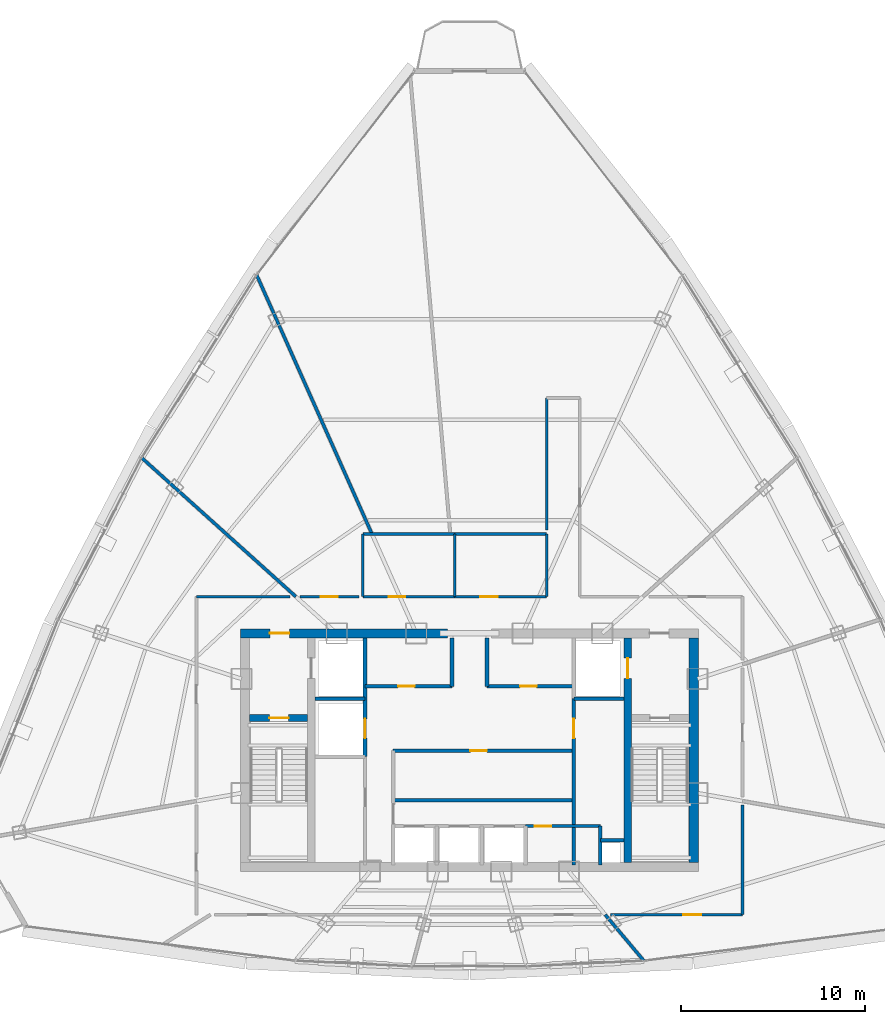
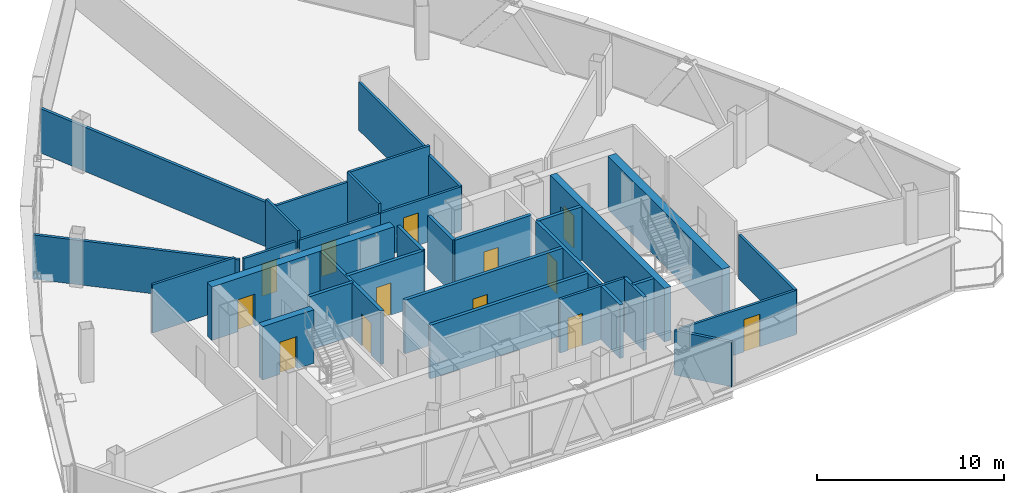
# One storey, part 26 of 30: 32 walls, 13 doors, 13 openings.
"""IFC4 building model written with IfcOpenShell, lengths in metres."""

from ifc_helpers import new_model, si_unit, direction, frame, frame_2d, origin, origin_with_axes, place, context, subcontext, project, spatial, rectangle, extrude, source, transform, mapped, material, layer, layer_set, type_object, element, fill, save


model = new_model("IFC4")

# Units and contexts
model_context = context("Model", 3, precision=1e-05, world=origin(), true_north=direction((0.0, 1.0)))
body_context = subcontext(model_context, "Body", "Model", "MODEL_VIEW")
ifc_project = project(units=[si_unit("LENGTHUNIT", "METRE"), si_unit("AREAUNIT", "SQUARE_METRE"), si_unit("VOLUMEUNIT", "CUBIC_METRE"), si_unit("PLANEANGLEUNIT", "RADIAN"), si_unit("MASSUNIT", "GRAM", prefix="KILO"), si_unit("THERMODYNAMICTEMPERATUREUNIT", "KELVIN"), si_unit("POWERUNIT", "WATT")], contexts=[model_context])

# Site, building, storey
site_placement = place(None, origin())
site = spatial("IfcSite", under=ifc_project, at=site_placement, CompositionType="ELEMENT")
building_placement = place(site_placement, origin())
building = spatial("IfcBuilding", under=site, at=building_placement, Name="Yunzhuo Pagoda Commons", CompositionType="ELEMENT")
storey_placement = place(building_placement, frame((0.0, 0.0, 355.510009765625)))
storey = spatial("IfcBuildingStorey", under=building, at=storey_placement, Name="L89", CompositionType="ELEMENT", Elevation=355.510009765625)

# Wall, opening, door
ifc_material_1 = material(Name="Concrete C50", Category="concrete")
ifc_layer_1 = layer(ifc_material_1, 0.5)
ifc_layer_set_1 = layer_set([ifc_layer_1], Name="Concrete C50")
wall_type_1 = type_object("IfcWallType", Name="W-C03 Upper Core Shear Wall 500", PredefinedType="SHEAR", material=ifc_layer_set_1)
wall_1_placement = place(storey_placement, frame((35.550048828125, 40.199951171875, 0.0), z_axis=(0.0, 0.0, 1.0), x_axis=(1.0, 0.0, 0.0)))
wall_1 = element("IfcWall", 1, at=wall_1_placement, inside=storey, type_object=wall_type_1, Name="L89 core shear wall NW", PredefinedType="SHEAR", context=body_context, shape_type="SweptSolid", body=[
    extrude(rectangle(XDim=11.25, YDim=0.5, at=frame_2d((5.625, 0.0))), origin(), (0.0, 0.0, 1.0), 3.489990234375),
])
opening_1_placement = place(wall_1_placement, frame((1.60009765625, 0.0, 0.0)))
opening_1 = element("IfcOpeningElement", 2, at=opening_1_placement, cuts=wall_1, Name="Opening D-02", PredefinedType="OPENING", context=body_context, shape_type="SweptSolid", body=[
    extrude(rectangle(XDim=1.050048828125, YDim=2.10009765625, at=frame_2d((0.52490234375, 1.050048828125))), frame((0.0, 0.260009765625, 0.0), z_axis=(0.0, -1.0, 0.0), x_axis=(1.0, 0.0, 0.0)), (0.0, 0.0, 1.0), 0.52001953125),
])
ifc_material_2 = material(Name="Galvanized fire-resisting metal leaf")
door_type_1 = type_object("IfcDoorType", Name="D-02 Firefighting Lobby & Refuge Fire Door 1050x2100", OperationType="NOTDEFINED", PredefinedType="DOOR", material=ifc_material_2)
shared_shape_1 = source(origin(), body_context, "Body", "SweptSolid", [
    extrude(rectangle(XDim=1.050048828125, YDim=2.10009765625, at=frame_2d((0.52490234375, 1.050048828125))), frame((0.0, 0.02490234375, 0.0), z_axis=(0.0, -1.0, 0.0), x_axis=(1.0, 0.0, 0.0)), (0.0, 0.0, 1.0), 0.050048828125),
])
door_1_placement = place(opening_1_placement, frame((1.050048828125, 0.0, 0.0), z_axis=(0.0, 0.0, 1.0), x_axis=(-1.0, 0.0, 0.0)))
door_1 = element("IfcDoor", 3, at=door_1_placement, inside=storey, type_object=door_type_1, Name="L89 Firefighting Lobby 1 fire door", OperationType="SINGLE_SWING_LEFT", OverallHeight=2.10009765625, OverallWidth=1.050048828125, PredefinedType="DOOR", context=body_context, shape_type="MappedRepresentation", body=[
    mapped(shared_shape_1, transform((0.0, 0.0, 0.0), scale=1.0)),
])
fill(opening_1, door_1)

# Wall
wall_2_placement = place(storey_placement, frame((60.199951171875, 27.75, 0.0), z_axis=(0.0, 0.0, 1.0), x_axis=(0.0, 1.0, 0.0)))
element("IfcWall", 4, at=wall_2_placement, inside=storey, type_object=wall_type_1, Name="L89 core shear wall E", PredefinedType="SHEAR", context=body_context, shape_type="SweptSolid", body=[
    extrude(rectangle(XDim=12.199951171875, YDim=0.5, at=frame_2d((6.10009765625, 0.0))), origin(), (0.0, 0.0, 1.0), 3.489990234375),
])

# Wall, opening, door
ifc_material_3 = material(Name="Gypsum plasterboard on acoustic stud")
ifc_layer_2 = layer(ifc_material_3, 0.14990234375)
ifc_layer_set_2 = layer_set([ifc_layer_2], Name="Gypsum plasterboard on acoustic stud")
wall_type_2 = type_object("IfcWallType", Name="W-COR3 High-Zone Rated Corridor Wall 150", PredefinedType="PARTITIONING", material=ifc_layer_set_2)
wall_3_placement = place(storey_placement, frame((51.050048828125, 29.719970703125, 0.0), z_axis=(0.0, 0.0, 1.0), x_axis=(1.0, 0.0, 0.0)))
wall_3 = element("IfcWall", 5, at=wall_3_placement, inside=storey, type_object=wall_type_2, Name="L89 interior wall IW-L89-CSES", PredefinedType="PARTITIONING", context=body_context, shape_type="SweptSolid", body=[
    extrude(rectangle(XDim=4.070068359375, YDim=0.14990234375, at=frame_2d((2.03515625, 0.0))), origin(), (0.0, 0.0, 1.0), 3.489990234375),
])
opening_2_placement = place(wall_3_placement, frame((0.5, 0.0, 0.0)))
opening_2 = element("IfcOpeningElement", 6, at=opening_2_placement, cuts=wall_3, Name="Opening D-03", PredefinedType="OPENING", context=body_context, shape_type="SweptSolid", body=[
    extrude(rectangle(XDim=0.89990234375, YDim=2.10009765625, at=frame_2d((0.449951171875, 1.050048828125))), frame((0.0, 0.0849609375, 0.0), z_axis=(0.0, -1.0, 0.0), x_axis=(1.0, 0.0, 0.0)), (0.0, 0.0, 1.0), 0.169921875),
])
door_type_2 = type_object("IfcDoorType", Name="D-03 Core Service Fire Door 900x2100", OperationType="NOTDEFINED", PredefinedType="DOOR", material=ifc_material_2)
shared_shape_2 = source(origin(), body_context, "Body", "SweptSolid", [
    extrude(rectangle(XDim=0.89990234375, YDim=2.10009765625, at=frame_2d((0.449951171875, 1.050048828125))), frame((0.0, 0.02490234375, 0.0), z_axis=(0.0, -1.0, 0.0), x_axis=(1.0, 0.0, 0.0)), (0.0, 0.0, 1.0), 0.050048828125),
])
door_2_placement = place(opening_2_placement, origin_with_axes())
door_2 = element("IfcDoor", 7, at=door_2_placement, inside=storey, type_object=door_type_2, Name="L89 cleaner store door", OperationType="SINGLE_SWING_LEFT", OverallHeight=2.10009765625, OverallWidth=0.89990234375, PredefinedType="DOOR", context=body_context, shape_type="MappedRepresentation", body=[
    mapped(shared_shape_2, transform((0.0, 0.0, 0.0), scale=1.0)),
])
fill(opening_2, door_2)

wall_4_placement = place(storey_placement, frame((42.199951171875, 42.199951171875, 0.0), z_axis=(0.0, 0.0, 1.0), x_axis=(1.0, 0.0, 0.0)))
wall_4 = element("IfcWall", 8, at=wall_4_placement, inside=storey, type_object=wall_type_2, Name="L89 interior wall IW-L89-TFWS", PredefinedType="PARTITIONING", context=body_context, shape_type="SweptSolid", body=[
    extrude(rectangle(XDim=5.0, YDim=0.14990234375, at=frame_2d((2.5, 0.0))), origin(), (0.0, 0.0, 1.0), 2.889892578125),
])
opening_3_placement = place(wall_4_placement, frame((1.39990234375, 0.0, 0.0)))
opening_3 = element("IfcOpeningElement", 9, at=opening_3_placement, cuts=wall_4, Name="Opening D-04", PredefinedType="OPENING", context=body_context, shape_type="SweptSolid", body=[
    extrude(rectangle(XDim=0.919921875, YDim=2.10009765625, at=frame_2d((0.4599609375, 1.050048828125))), frame((0.0, 0.0849609375, 0.0), z_axis=(0.0, -1.0, 0.0), x_axis=(1.0, 0.0, 0.0)), (0.0, 0.0, 1.0), 0.169921875),
])
ifc_material_4 = material(Name="Powder-coated aluminium and timber acoustic leaf", Category="wood")
door_type_3 = type_object("IfcDoorType", Name="D-04 Bedroom & Study Interior Door 920x2100", OperationType="NOTDEFINED", PredefinedType="DOOR", material=ifc_material_4)
shared_shape_3 = source(origin(), body_context, "Body", "SweptSolid", [
    extrude(rectangle(XDim=0.919921875, YDim=2.10009765625, at=frame_2d((0.4599609375, 1.050048828125))), frame((0.0, 0.02490234375, 0.0), z_axis=(0.0, -1.0, 0.0), x_axis=(1.0, 0.0, 0.0)), (0.0, 0.0, 1.0), 0.050048828125),
])
door_3_placement = place(opening_3_placement, frame((0.919921875, 0.0, 0.0), z_axis=(0.0, 0.0, 1.0), x_axis=(-1.0, 0.0, 0.0)))
door_3 = element("IfcDoor", 10, at=door_3_placement, inside=storey, type_object=door_type_3, Name="L89 laundry door", OperationType="SINGLE_SWING_LEFT", OverallHeight=2.10009765625, OverallWidth=0.919921875, PredefinedType="DOOR", context=body_context, shape_type="MappedRepresentation", body=[
    mapped(shared_shape_3, transform((0.0, 0.0, 0.0), scale=1.0)),
])
fill(opening_3, door_3)

# Walls
wall_5_placement = place(storey_placement, frame((42.199951171875, 45.60009765625, 0.0), z_axis=(0.0, 0.0, 1.0), x_axis=(1.0, 0.0, 0.0)))
element("IfcWall", 11, at=wall_5_placement, inside=storey, type_object=wall_type_2, Name="L89 interior wall IW-L89-TFWN", PredefinedType="PARTITIONING", context=body_context, shape_type="SweptSolid", body=[
    extrude(rectangle(XDim=5.0, YDim=0.14990234375, at=frame_2d((2.5, 0.0))), origin(), (0.0, 0.0, 1.0), 2.889892578125),
])
wall_6_placement = place(storey_placement, frame((42.199951171875, 42.199951171875, 0.0), z_axis=(0.0, 0.0, 1.0), x_axis=(0.0, 1.0, 0.0)))
element("IfcWall", 12, at=wall_6_placement, inside=storey, type_object=wall_type_2, Name="L89 interior wall IW-L89-TFWW", PredefinedType="PARTITIONING", context=body_context, shape_type="SweptSolid", body=[
    extrude(rectangle(XDim=3.400146484375, YDim=0.14990234375, at=frame_2d((1.7001953125, 0.0))), origin(), (0.0, 0.0, 1.0), 3.489990234375),
])

# Wall, opening, door
wall_7_placement = place(storey_placement, frame((47.199951171875, 42.199951171875, 0.0), z_axis=(0.0, 0.0, 1.0), x_axis=(1.0, 0.0, 0.0)))
wall_7 = element("IfcWall", 13, at=wall_7_placement, inside=storey, type_object=wall_type_2, Name="L89 interior wall IW-L89-TFES", PredefinedType="PARTITIONING", context=body_context, shape_type="SweptSolid", body=[
    extrude(rectangle(XDim=5.0, YDim=0.14990234375, at=frame_2d((2.5, 0.0))), origin(), (0.0, 0.0, 1.0), 2.889892578125),
])
opening_4_placement = place(wall_7_placement, frame((1.39990234375, 0.0, 0.0)))
opening_4 = element("IfcOpeningElement", 14, at=opening_4_placement, cuts=wall_7, Name="Opening D-11", PredefinedType="OPENING", context=body_context, shape_type="SweptSolid", body=[
    extrude(rectangle(XDim=0.93994140625, YDim=2.10009765625, at=frame_2d((0.469970703125, 1.050048828125))), frame((0.0, 0.0849609375, 0.0), z_axis=(0.0, -1.0, 0.0), x_axis=(1.0, 0.0, 0.0)), (0.0, 0.0, 1.0), 0.169921875),
])
door_type_4 = type_object("IfcDoorType", Name="D-11 Accessible Washroom Fire Door 940x2100", OperationType="NOTDEFINED", PredefinedType="DOOR", material=ifc_material_2)
shared_shape_4 = source(origin(), body_context, "Body", "SweptSolid", [
    extrude(rectangle(XDim=0.93994140625, YDim=2.10009765625, at=frame_2d((0.469970703125, 1.050048828125))), frame((0.0, 0.02490234375, 0.0), z_axis=(0.0, -1.0, 0.0), x_axis=(1.0, 0.0, 0.0)), (0.0, 0.0, 1.0), 0.050048828125),
])
door_4_placement = place(opening_4_placement, frame((0.93994140625, 0.0, 0.0), z_axis=(0.0, 0.0, 1.0), x_axis=(-1.0, 0.0, 0.0)))
door_4 = element("IfcDoor", 15, at=door_4_placement, inside=storey, type_object=door_type_4, Name="L89 accessible WC door", OperationType="SINGLE_SWING_RIGHT", OverallHeight=2.10009765625, OverallWidth=0.93994140625, PredefinedType="DOOR", context=body_context, shape_type="MappedRepresentation", body=[
    mapped(shared_shape_4, transform((0.0, 0.0, 0.0), scale=1.0)),
])
fill(opening_4, door_4)

# Walls
wall_8_placement = place(storey_placement, frame((47.199951171875, 45.60009765625, 0.0), z_axis=(0.0, 0.0, 1.0), x_axis=(1.0, 0.0, 0.0)))
element("IfcWall", 16, at=wall_8_placement, inside=storey, type_object=wall_type_2, Name="L89 interior wall IW-L89-TFEN", PredefinedType="PARTITIONING", context=body_context, shape_type="SweptSolid", body=[
    extrude(rectangle(XDim=5.0, YDim=0.14990234375, at=frame_2d((2.5, 0.0))), origin(), (0.0, 0.0, 1.0), 3.489990234375),
])
wall_9_placement = place(storey_placement, frame((47.199951171875, 42.199951171875, 0.0), z_axis=(0.0, 0.0, 1.0), x_axis=(0.0, 1.0, 0.0)))
element("IfcWall", 17, at=wall_9_placement, inside=storey, type_object=wall_type_2, Name="L89 interior wall IW-L89-TFEW", PredefinedType="PARTITIONING", context=body_context, shape_type="SweptSolid", body=[
    extrude(rectangle(XDim=3.400146484375, YDim=0.14990234375, at=frame_2d((1.7001953125, 0.0))), origin(), (0.0, 0.0, 1.0), 3.489990234375),
])
wall_10_placement = place(storey_placement, frame((52.199951171875, 42.199951171875, 0.0), z_axis=(0.0, 0.0, 1.0), x_axis=(0.0, 1.0, 0.0)))
element("IfcWall", 18, at=wall_10_placement, inside=storey, type_object=wall_type_2, Name="L89 interior wall IW-L89-TFEE", PredefinedType="PARTITIONING", context=body_context, shape_type="SweptSolid", body=[
    extrude(rectangle(XDim=3.400146484375, YDim=0.14990234375, at=frame_2d((1.7001953125, 0.0))), origin(), (0.0, 0.0, 1.0), 2.889892578125),
])
wall_11_placement = place(storey_placement, frame((33.14990234375, 42.199951171875, 0.0), z_axis=(0.0, 0.0, 1.0), x_axis=(1.0, 0.0, 0.0)))
element("IfcWall", 19, at=wall_11_placement, inside=storey, type_object=wall_type_2, Name="L89 interior wall IW-L89-CWL03", PredefinedType="PARTITIONING", context=body_context, shape_type="SweptSolid", body=[
    extrude(rectangle(XDim=5.0810546875, YDim=0.14990234375, at=frame_2d((2.54052734375, 0.0))), origin(), (0.0, 0.0, 1.0), 3.139892578125),
])

# Wall, opening, door
wall_12_placement = place(storey_placement, frame((38.779541015625, 42.199951171875, 0.0), z_axis=(0.0, 0.0, 1.0), x_axis=(1.0, 0.0, 0.0)))
wall_12 = element("IfcWall", 20, at=wall_12_placement, inside=storey, type_object=wall_type_2, Name="L89 interior wall IW-L89-CWL04", PredefinedType="PARTITIONING", context=body_context, shape_type="SweptSolid", body=[
    extrude(rectangle(XDim=3.200439453125, YDim=0.14990234375, at=frame_2d((1.60009765625, 0.0))), origin(), (0.0, 0.0, 1.0), 2.889892578125),
])
opening_5_placement = place(wall_12_placement, frame((1.140380859375, 0.0, 0.0)))
opening_5 = element("IfcOpeningElement", 21, at=opening_5_placement, cuts=wall_12, Name="Opening D-04", PredefinedType="OPENING", context=body_context, shape_type="SweptSolid", body=[
    extrude(rectangle(XDim=0.919921875, YDim=2.10009765625, at=frame_2d((0.4599609375, 1.050048828125))), frame((0.0, 0.0849609375, 0.0), z_axis=(0.0, -1.0, 0.0), x_axis=(1.0, 0.0, 0.0)), (0.0, 0.0, 1.0), 0.169921875),
])
door_5_placement = place(opening_5_placement, origin_with_axes())
door_5 = element("IfcDoor", 22, at=door_5_placement, inside=storey, type_object=door_type_3, Name="L89 seminar room 05 door", OperationType="SINGLE_SWING_LEFT", OverallHeight=2.10009765625, OverallWidth=0.919921875, PredefinedType="DOOR", context=body_context, shape_type="MappedRepresentation", body=[
    mapped(shared_shape_3, transform((0.0, 0.0, 0.0), scale=1.0)),
])
fill(opening_5, door_5)

# Walls
wall_13_placement = place(storey_placement, frame((52.199951171875, 45.820068359375, 0.0), z_axis=(0.0, 0.0, 1.0), x_axis=(0.0, 1.0, 0.0)))
element("IfcWall", 23, at=wall_13_placement, inside=storey, type_object=wall_type_2, Name="L89 interior wall IW-L89-CWL05", PredefinedType="PARTITIONING", context=body_context, shape_type="SweptSolid", body=[
    extrude(rectangle(XDim=7.179931640625, YDim=0.14990234375, at=frame_2d((3.58984375, 0.0))), origin(), (0.0, 0.0, 1.0), 3.139892578125),
])
wall_14_placement = place(storey_placement, frame((62.85009765625, 30.858154296875, 0.0), z_axis=(0.0, 0.0, 1.0), x_axis=(0.0, -1.0, 0.0)))
element("IfcWall", 24, at=wall_14_placement, inside=storey, type_object=wall_type_2, Name="L89 interior wall IW-L89-CWL12", PredefinedType="PARTITIONING", context=body_context, shape_type="SweptSolid", body=[
    extrude(rectangle(XDim=5.958251953125, YDim=0.14990234375, at=frame_2d((2.97900390625, 0.0))), origin(), (0.0, 0.0, 1.0), 2.889892578125),
])

# Wall, opening, door
wall_15_placement = place(storey_placement, frame((62.85009765625, 24.89990234375, 0.0), z_axis=(0.0, 0.0, 1.0), x_axis=(-1.0, 0.0, 0.0)))
wall_15 = element("IfcWall", 25, at=wall_15_placement, inside=storey, type_object=wall_type_2, Name="L89 interior wall IW-L89-CWL13", PredefinedType="PARTITIONING", context=body_context, shape_type="SweptSolid", body=[
    extrude(rectangle(XDim=7.1787109375, YDim=0.14990234375, at=frame_2d((3.58935546875, 0.0))), origin(), (0.0, 0.0, 1.0), 2.889892578125),
])
opening_6_placement = place(wall_15_placement, frame((2.250244140625, 0.0, 0.0)))
opening_6 = element("IfcOpeningElement", 26, at=opening_6_placement, cuts=wall_15, Name="Opening D-08", PredefinedType="OPENING", context=body_context, shape_type="SweptSolid", body=[
    extrude(rectangle(XDim=0.97998046875, YDim=2.1201171875, at=frame_2d((0.489990234375, 1.06005859375))), frame((0.0, 0.0849609375, 0.0), z_axis=(0.0, -1.0, 0.0), x_axis=(1.0, 0.0, 0.0)), (0.0, 0.0, 1.0), 0.169921875),
])
door_type_5 = type_object("IfcDoorType", Name="D-08 High-Zone Suite Entrance Fire Door 980x2120", OperationType="NOTDEFINED", PredefinedType="DOOR", material=ifc_material_2)
shared_shape_5 = source(origin(), body_context, "Body", "SweptSolid", [
    extrude(rectangle(XDim=0.97998046875, YDim=2.1201171875, at=frame_2d((0.489990234375, 1.06005859375))), frame((0.0, 0.02490234375, 0.0), z_axis=(0.0, -1.0, 0.0), x_axis=(1.0, 0.0, 0.0)), (0.0, 0.0, 1.0), 0.050048828125),
])
door_6_placement = place(opening_6_placement, origin_with_axes())
door_6 = element("IfcDoor", 27, at=door_6_placement, inside=storey, type_object=door_type_5, Name="L89 unit 10 entrance door", OperationType="SINGLE_SWING_RIGHT", OverallHeight=2.1201171875, OverallWidth=0.97998046875, PredefinedType="DOOR", context=body_context, shape_type="MappedRepresentation", body=[
    mapped(shared_shape_5, transform((0.0, 0.0, 0.0), scale=1.0)),
])
fill(opening_6, door_6)

# Walls
ifc_layer_3 = layer(ifc_material_3, 0.169921875)
ifc_layer_set_3 = layer_set([ifc_layer_3], Name="Gypsum plasterboard on acoustic stud")
wall_type_3 = type_object("IfcWallType", Name="W-PRT4 High-Zone Demising Wall 170", PredefinedType="PARTITIONING", material=ifc_layer_set_3)
wall_16_placement = place(storey_placement, frame((42.701904296875, 45.60009765625, 0.0), z_axis=(0.0, 0.0, 1.0), x_axis=(-0.40675369263, 0.913537866501, 0.0)))
element("IfcWall", 28, at=wall_16_placement, inside=storey, type_object=wall_type_3, Name="L89 interior wall IW-L89-RAD04", PredefinedType="PARTITIONING", context=body_context, shape_type="SweptSolid", body=[
    extrude(rectangle(XDim=15.425048828125, YDim=0.169921875, at=frame_2d((7.71240234375, 0.0))), origin(), (0.0, 0.0, 1.0), 2.889892578125),
])
wall_17_placement = place(storey_placement, frame((38.559814453125, 42.199951171875, 0.0), z_axis=(0.0, 0.0, 1.0), x_axis=(-0.74314133574, 0.669134482085, 0.0)))
element("IfcWall", 29, at=wall_17_placement, inside=storey, type_object=wall_type_3, Name="L89 interior wall IW-L89-RAD05", PredefinedType="PARTITIONING", context=body_context, shape_type="SweptSolid", body=[
    extrude(rectangle(XDim=11.2822265625, YDim=0.169921875, at=frame_2d((5.64111328125, 0.0))), origin(), (0.0, 0.0, 1.0), 2.889892578125),
])
wall_18_placement = place(storey_placement, frame((55.384033203125, 24.89990234375, 0.0), z_axis=(0.0, 0.0, 1.0), x_axis=(0.642829818613, -0.766009023642, 0.0)))
element("IfcWall", 30, at=wall_18_placement, inside=storey, type_object=wall_type_3, Name="L89 interior wall IW-L89-RAD09", PredefinedType="PARTITIONING", context=body_context, shape_type="SweptSolid", body=[
    extrude(rectangle(XDim=3.272216796875, YDim=0.169921875, at=frame_2d((1.63623046875, 0.0))), origin(), (0.0, 0.0, 1.0), 2.889892578125),
])

# Wall, opening, door
ifc_material_5 = material(Name="Concrete C60", Category="concrete")
ifc_layer_4 = layer(ifc_material_5, 0.39990234375)
ifc_layer_set_4 = layer_set([ifc_layer_4], Name="Concrete C60")
wall_type_4 = type_object("IfcWallType", Name="W-S01 Internal Core Shear Web 400", PredefinedType="SHEAR", material=ifc_layer_set_4)
wall_19_placement = place(storey_placement, frame((56.60009765625, 27.75, 0.0), z_axis=(0.0, 0.0, 1.0), x_axis=(0.0, 1.0, 0.0)))
wall_19 = element("IfcWall", 31, at=wall_19_placement, inside=storey, type_object=wall_type_4, Name="L89 core shear wall WEBE", PredefinedType="SHEAR", context=body_context, shape_type="SweptSolid", body=[
    extrude(rectangle(XDim=12.199951171875, YDim=0.39990234375, at=frame_2d((6.10009765625, 0.0))), origin(), (0.0, 0.0, 1.0), 3.489990234375),
])
opening_7_placement = place(wall_19_placement, frame((10.0, 0.0, 0.0)))
opening_7 = element("IfcOpeningElement", 32, at=opening_7_placement, cuts=wall_19, Name="Opening LD-01", PredefinedType="OPENING", context=body_context, shape_type="SweptSolid", body=[
    extrude(rectangle(XDim=1.10009765625, YDim=2.10009765625, at=frame_2d((0.550048828125, 1.050048828125))), frame((0.0, 0.2099609375, 0.0), z_axis=(0.0, -1.0, 0.0), x_axis=(1.0, 0.0, 0.0)), (0.0, 0.0, 1.0), 0.419921875),
])
door_type_6 = type_object("IfcDoorType", Name="LD-01 Firefighting Lift Landing Door 1100x2100", OperationType="DOUBLE_DOOR_SLIDING", PredefinedType="DOOR", material=ifc_material_2)
shared_shape_6 = source(origin(), body_context, "Body", "SweptSolid", [
    extrude(rectangle(XDim=1.10009765625, YDim=2.10009765625, at=frame_2d((0.550048828125, 1.050048828125))), frame((0.0, 0.02490234375, 0.0), z_axis=(0.0, -1.0, 0.0), x_axis=(1.0, 0.0, 0.0)), (0.0, 0.0, 1.0), 0.050048828125),
])
door_7_placement = place(opening_7_placement, origin_with_axes())
door_7 = element("IfcDoor", 33, at=door_7_placement, inside=storey, type_object=door_type_6, Name="L89 Firefighting lift FL-2 landing door", OperationType="DOUBLE_DOOR_SLIDING", OverallHeight=2.10009765625, OverallWidth=1.10009765625, PredefinedType="DOOR", context=body_context, shape_type="MappedRepresentation", body=[
    mapped(shared_shape_6, transform((0.0, 0.0, 0.0), scale=1.0)),
])
fill(opening_7, door_7)

wall_20_placement = place(storey_placement, frame((36.050048828125, 35.60009765625, 0.0), z_axis=(0.0, 0.0, 1.0), x_axis=(1.0, 0.0, 0.0)))
wall_20 = element("IfcWall", 34, at=wall_20_placement, inside=storey, type_object=wall_type_4, Name="L89 core shear wall STW", PredefinedType="SHEAR", context=body_context, shape_type="SweptSolid", body=[
    extrude(rectangle(XDim=3.14990234375, YDim=0.39990234375, at=frame_2d((1.574951171875, 0.0))), origin(), (0.0, 0.0, 1.0), 3.489990234375),
])
opening_8_placement = place(wall_20_placement, frame((1.070068359375, 0.0, 0.0)))
opening_8 = element("IfcOpeningElement", 35, at=opening_8_placement, cuts=wall_20, Name="Opening D-01", PredefinedType="OPENING", context=body_context, shape_type="SweptSolid", body=[
    extrude(rectangle(XDim=1.050048828125, YDim=2.10009765625, at=frame_2d((0.52490234375, 1.050048828125))), frame((0.0, 0.2099609375, 0.0), z_axis=(0.0, -1.0, 0.0), x_axis=(1.0, 0.0, 0.0)), (0.0, 0.0, 1.0), 0.419921875),
])
door_type_7 = type_object("IfcDoorType", Name="D-01 Smokeproof Stair Fire Door 1050x2100", OperationType="NOTDEFINED", PredefinedType="DOOR", material=ifc_material_2)
door_8_placement = place(opening_8_placement, frame((1.050048828125, 0.0, 0.0), z_axis=(0.0, 0.0, 1.0), x_axis=(-1.0, 0.0, 0.0)))
door_8 = element("IfcDoor", 36, at=door_8_placement, inside=storey, type_object=door_type_7, Name="L89 Stair ST1 fire door", OperationType="SINGLE_SWING_LEFT", OverallHeight=2.10009765625, OverallWidth=1.050048828125, PredefinedType="DOOR", context=body_context, shape_type="MappedRepresentation", body=[
    mapped(shared_shape_1, transform((0.0, 0.0, 0.0), scale=1.0)),
])
fill(opening_8, door_8)

ifc_material_6 = material(Name="Concrete C40", Category="concrete")
ifc_layer_5 = layer(ifc_material_6, 0.199951171875)
ifc_layer_set_5 = layer_set([ifc_layer_5], Name="Concrete C40")
wall_type_5 = type_object("IfcWallType", Name="W-SHF Shaft & Stair Enclosure Wall 200", PredefinedType="SOLIDWALL", material=ifc_layer_set_5)
wall_21_placement = place(storey_placement, frame((42.320068359375, 33.5, 0.0), z_axis=(0.0, 0.0, 1.0), x_axis=(0.0, 1.0, 0.0)))
wall_21 = element("IfcWall", 37, at=wall_21_placement, inside=storey, type_object=wall_type_5, Name="L89 interior wall IW-L89-FL1E", PredefinedType="SOLIDWALL", context=body_context, shape_type="SweptSolid", body=[
    extrude(rectangle(XDim=6.449951171875, YDim=0.199951171875, at=frame_2d((3.22509765625, 0.0))), origin(), (0.0, 0.0, 1.0), 3.489990234375),
])
opening_9_placement = place(wall_21_placement, frame((1.0, 0.0, 0.0)))
opening_9 = element("IfcOpeningElement", 38, at=opening_9_placement, cuts=wall_21, Name="Opening LD-02", PredefinedType="OPENING", context=body_context, shape_type="SweptSolid", body=[
    extrude(rectangle(XDim=1.050048828125, YDim=2.10009765625, at=frame_2d((0.52490234375, 1.050048828125))), frame((0.0, 0.10986328125, 0.0), z_axis=(0.0, -1.0, 0.0), x_axis=(1.0, 0.0, 0.0)), (0.0, 0.0, 1.0), 0.219970703125),
])
door_type_8 = type_object("IfcDoorType", Name="LD-02 Passenger Lift Landing Door 1050x2100", OperationType="DOUBLE_DOOR_SLIDING", PredefinedType="DOOR", material=ifc_material_2)
door_9_placement = place(opening_9_placement, origin_with_axes())
door_9 = element("IfcDoor", 39, at=door_9_placement, inside=storey, type_object=door_type_8, Name="L89 Service lift SL-1 landing door", OperationType="DOUBLE_DOOR_SLIDING", OverallHeight=2.10009765625, OverallWidth=1.050048828125, PredefinedType="DOOR", context=body_context, shape_type="MappedRepresentation", body=[
    mapped(shared_shape_1, transform((0.0, 0.0, 0.0), scale=1.0)),
])
fill(opening_9, door_9)

# Walls
for number, where, z_axis, x_axis, name in (
    (40, (39.60009765625, 36.64990234375, 0.0), (0.0, 0.0, 1.0), (1.0, 0.0, 0.0), "L89 interior wall IW-L89-FL1S"),
    (41, (53.679931640625, 36.64990234375, 0.0), (0.0, 0.0, 1.0), (1.0, 0.0, 0.0), "L89 interior wall IW-L89-FL2S"),
):
    element("IfcWall", number, at=place(storey_placement, frame(where, z_axis=z_axis, x_axis=x_axis)), inside=storey, type_object=wall_type_5, Name=name, PredefinedType="SOLIDWALL", context=body_context, shape_type="SweptSolid", body=[
        extrude(rectangle(XDim=2.719970703125, YDim=0.199951171875, at=frame_2d((1.35986328125, 0.0))), origin(), (0.0, 0.0, 1.0), 3.489990234375),
    ])

# Wall, opening, door
wall_22_placement = place(storey_placement, frame((42.320068359375, 37.320068359375, 0.0), z_axis=(0.0, 0.0, 1.0), x_axis=(1.0, 0.0, 0.0)))
wall_22 = element("IfcWall", 42, at=wall_22_placement, inside=storey, type_object=wall_type_5, Name="L89 interior wall IW-L89-LBNW", PredefinedType="SOLIDWALL", context=body_context, shape_type="SweptSolid", body=[
    extrude(rectangle(XDim=4.72998046875, YDim=0.199951171875, at=frame_2d((2.364990234375, 0.0))), origin(), (0.0, 0.0, 1.0), 3.489990234375),
])
opening_10_placement = place(wall_22_placement, frame((1.800048828125, 0.0, 0.0)))
opening_10 = element("IfcOpeningElement", 43, at=opening_10_placement, cuts=wall_22, Name="Opening D-03", PredefinedType="OPENING", context=body_context, shape_type="SweptSolid", body=[
    extrude(rectangle(XDim=0.89990234375, YDim=2.10009765625, at=frame_2d((0.449951171875, 1.050048828125))), frame((0.0, 0.10986328125, 0.0), z_axis=(0.0, -1.0, 0.0), x_axis=(1.0, 0.0, 0.0)), (0.0, 0.0, 1.0), 0.219970703125),
])
door_10_placement = place(opening_10_placement, frame((0.89990234375, 0.0, 0.0), z_axis=(0.0, 0.0, 1.0), x_axis=(-1.0, 0.0, 0.0)))
door_10 = element("IfcDoor", 44, at=door_10_placement, inside=storey, type_object=door_type_2, Name="L89 core west store door", OperationType="SINGLE_SWING_LEFT", OverallHeight=2.10009765625, OverallWidth=0.89990234375, PredefinedType="DOOR", context=body_context, shape_type="MappedRepresentation", body=[
    mapped(shared_shape_2, transform((0.0, 0.0, 0.0), scale=1.0)),
])
fill(opening_10, door_10)

wall_23_placement = place(storey_placement, frame((48.949951171875, 37.320068359375, 0.0), z_axis=(0.0, 0.0, 1.0), x_axis=(1.0, 0.0, 0.0)))
wall_23 = element("IfcWall", 45, at=wall_23_placement, inside=storey, type_object=wall_type_5, Name="L89 interior wall IW-L89-LBNE", PredefinedType="SOLIDWALL", context=body_context, shape_type="SweptSolid", body=[
    extrude(rectangle(XDim=4.72998046875, YDim=0.199951171875, at=frame_2d((2.364990234375, 0.0))), origin(), (0.0, 0.0, 1.0), 3.489990234375),
])
opening_11_placement = place(wall_23_placement, frame((1.800048828125, 0.0, 0.0)))
opening_11 = element("IfcOpeningElement", 46, at=opening_11_placement, cuts=wall_23, Name="Opening D-03", PredefinedType="OPENING", context=body_context, shape_type="SweptSolid", body=[
    extrude(rectangle(XDim=0.89990234375, YDim=2.10009765625, at=frame_2d((0.449951171875, 1.050048828125))), frame((0.0, 0.10986328125, 0.0), z_axis=(0.0, -1.0, 0.0), x_axis=(1.0, 0.0, 0.0)), (0.0, 0.0, 1.0), 0.219970703125),
])
door_11_placement = place(opening_11_placement, frame((0.89990234375, 0.0, 0.0), z_axis=(0.0, 0.0, 1.0), x_axis=(-1.0, 0.0, 0.0)))
door_11 = element("IfcDoor", 47, at=door_11_placement, inside=storey, type_object=door_type_2, Name="L89 core east store door", OperationType="SINGLE_SWING_RIGHT", OverallHeight=2.10009765625, OverallWidth=0.89990234375, PredefinedType="DOOR", context=body_context, shape_type="MappedRepresentation", body=[
    mapped(shared_shape_2, transform((0.0, 0.0, 0.0), scale=1.0)),
])
fill(opening_11, door_11)

# Walls
for number, where, z_axis, x_axis, name in (
    (48, (47.050048828125, 37.320068359375, 0.0), (0.0, 0.0, 1.0), (0.0, 1.0, 0.0), "L89 interior wall IW-L89-THRW"),
    (49, (48.949951171875, 37.320068359375, 0.0), (0.0, 0.0, 1.0), (0.0, 1.0, 0.0), "L89 interior wall IW-L89-THRE"),
):
    element("IfcWall", number, at=place(storey_placement, frame(where, z_axis=z_axis, x_axis=x_axis)), inside=storey, type_object=wall_type_5, Name=name, PredefinedType="SOLIDWALL", context=body_context, shape_type="SweptSolid", body=[
        extrude(rectangle(XDim=2.6298828125, YDim=0.199951171875, at=frame_2d((1.31494140625, 0.0))), origin(), (0.0, 0.0, 1.0), 3.489990234375),
    ])

# Wall, opening, door
wall_24_placement = place(storey_placement, frame((43.85009765625, 33.820068359375, 0.0), z_axis=(0.0, 0.0, 1.0), x_axis=(1.0, 0.0, 0.0)))
wall_24 = element("IfcWall", 50, at=wall_24_placement, inside=storey, type_object=wall_type_5, Name="L89 interior wall IW-L89-MLBS", PredefinedType="SOLIDWALL", context=body_context, shape_type="SweptSolid", body=[
    extrude(rectangle(XDim=9.829833984375, YDim=0.199951171875, at=frame_2d((4.9150390625, 0.0))), origin(), (0.0, 0.0, 1.0), 3.489990234375),
])
opening_12_placement = place(wall_24_placement, frame((4.199951171875, 0.0, 0.0)))
opening_12 = element("IfcOpeningElement", 51, at=opening_12_placement, cuts=wall_24, Name="Opening D-03", PredefinedType="OPENING", context=body_context, shape_type="SweptSolid", body=[
    extrude(rectangle(XDim=0.89990234375, YDim=2.10009765625, at=frame_2d((0.449951171875, 1.050048828125))), frame((0.0, 0.10986328125, 0.0), z_axis=(0.0, -1.0, 0.0), x_axis=(1.0, 0.0, 0.0)), (0.0, 0.0, 1.0), 0.219970703125),
])
door_12_placement = place(opening_12_placement, origin_with_axes())
door_12 = element("IfcDoor", 52, at=door_12_placement, inside=storey, type_object=door_type_2, Name="L89 core archive store door", OperationType="SINGLE_SWING_LEFT", OverallHeight=2.10009765625, OverallWidth=0.89990234375, PredefinedType="DOOR", context=body_context, shape_type="MappedRepresentation", body=[
    mapped(shared_shape_2, transform((0.0, 0.0, 0.0), scale=1.0)),
])
fill(opening_12, door_12)

wall_25_placement = place(storey_placement, frame((53.679931640625, 27.60009765625, 0.0), z_axis=(0.0, 0.0, 1.0), x_axis=(0.0, 1.0, 0.0)))
wall_25 = element("IfcWall", 53, at=wall_25_placement, inside=storey, type_object=wall_type_5, Name="L89 interior wall IW-L89-PLME", PredefinedType="SOLIDWALL", context=body_context, shape_type="SweptSolid", body=[
    extrude(rectangle(XDim=9.0498046875, YDim=0.199951171875, at=frame_2d((4.52490234375, 0.0))), origin(), (0.0, 0.0, 1.0), 3.489990234375),
])
opening_13_placement = place(wall_25_placement, frame((6.89990234375, 0.0, 0.0)))
opening_13 = element("IfcOpeningElement", 54, at=opening_13_placement, cuts=wall_25, Name="Opening D-02", PredefinedType="OPENING", context=body_context, shape_type="SweptSolid", body=[
    extrude(rectangle(XDim=1.050048828125, YDim=2.10009765625, at=frame_2d((0.52490234375, 1.050048828125))), frame((0.0, 0.10986328125, 0.0), z_axis=(0.0, -1.0, 0.0), x_axis=(1.0, 0.0, 0.0)), (0.0, 0.0, 1.0), 0.219970703125),
])
door_13_placement = place(opening_13_placement, origin_with_axes())
door_13 = element("IfcDoor", 55, at=door_13_placement, inside=storey, type_object=door_type_1, Name="L89 High-bank lift hall door", OperationType="SINGLE_SWING_RIGHT", OverallHeight=2.10009765625, OverallWidth=1.050048828125, PredefinedType="DOOR", context=body_context, shape_type="MappedRepresentation", body=[
    mapped(shared_shape_1, transform((0.0, 0.0, 0.0), scale=1.0)),
])
fill(opening_13, door_13)

# Walls
wall_26_placement = place(storey_placement, frame((43.85009765625, 31.1201171875, 0.0), z_axis=(0.0, 0.0, 1.0), x_axis=(1.0, 0.0, 0.0)))
element("IfcWall", 56, at=wall_26_placement, inside=storey, type_object=wall_type_5, Name="L89 interior wall IW-L89-PLMS2", PredefinedType="SOLIDWALL", context=body_context, shape_type="SweptSolid", body=[
    extrude(rectangle(XDim=9.829833984375, YDim=0.199951171875, at=frame_2d((4.9150390625, 0.0))), origin(), (0.0, 0.0, 1.0), 3.489990234375),
])
wall_27_placement = place(storey_placement, frame((55.1201171875, 27.60009765625, 0.0), z_axis=(0.0, 0.0, 1.0), x_axis=(0.0, 1.0, 0.0)))
element("IfcWall", 57, at=wall_27_placement, inside=storey, type_object=wall_type_5, Name="L89 interior wall IW-L89-RSHFW", PredefinedType="SOLIDWALL", context=body_context, shape_type="SweptSolid", body=[
    extrude(rectangle(XDim=2.119873046875, YDim=0.199951171875, at=frame_2d((1.06005859375, 0.0))), origin(), (0.0, 0.0, 1.0), 3.489990234375),
])
wall_28_placement = place(storey_placement, frame((55.1201171875, 28.949951171875, 0.0), z_axis=(0.0, 0.0, 1.0), x_axis=(1.0, 0.0, 0.0)))
element("IfcWall", 58, at=wall_28_placement, inside=storey, type_object=wall_type_5, Name="L89 interior wall IW-L89-RSHFN", PredefinedType="SOLIDWALL", context=body_context, shape_type="SweptSolid", body=[
    extrude(rectangle(XDim=1.27978515625, YDim=0.199951171875, at=frame_2d((0.639892578125, 0.0))), origin(), (0.0, 0.0, 1.0), 3.489990234375),
])

save(model, "model.ifc")
